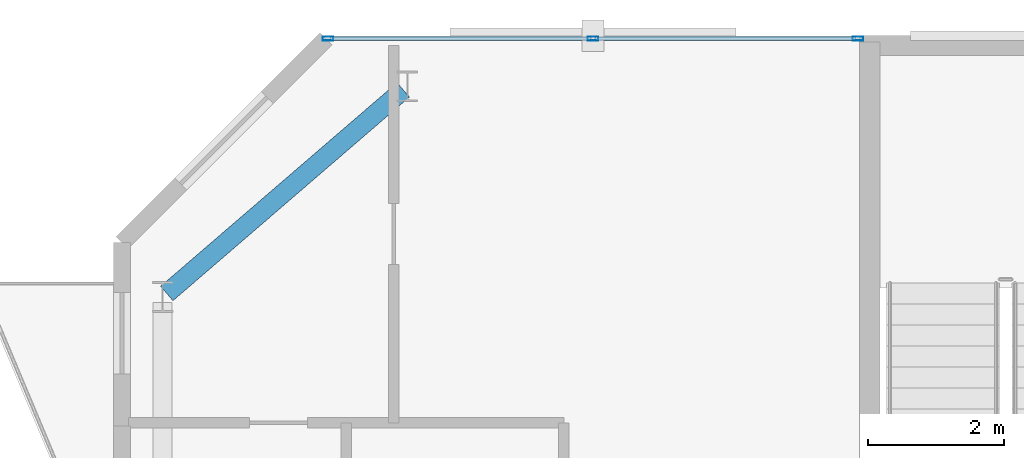
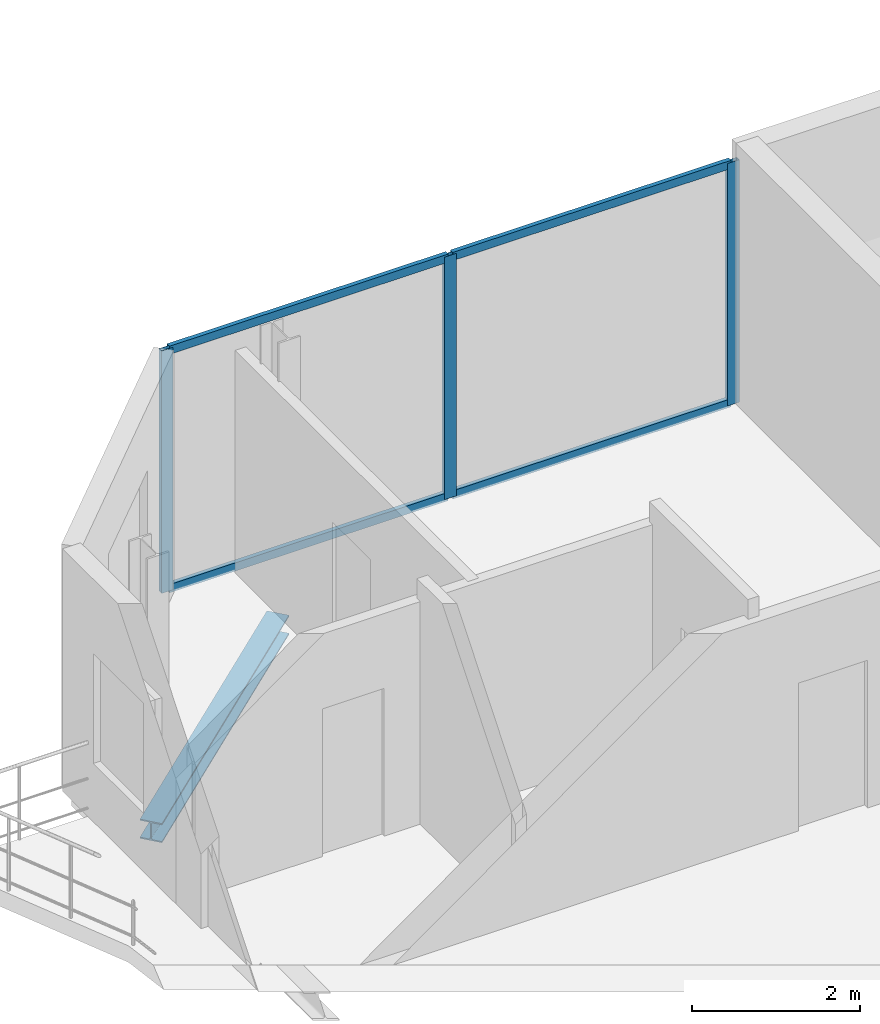
# One storey, part 16 of 22: 7 members, 1 beam, 1 element without a shape of its own.
"""IFC4 building model written with IfcOpenShell, lengths in metres."""

from ifc_helpers import new_model, si_unit, direction, frame, origin, origin_2d, place, context, subcontext, project, spatial, hollow_rectangle, i_section, extrude, material, layer, layer_set, material_profile, profile_set, type_object, element, aggregate, save


model = new_model("IFC4")

# Units and contexts
model_context = context("Model", 3, precision=1e-05, world=origin(), true_north=direction((0.0, 1.0)))
body_context = subcontext(model_context, "Body", "Model", "MODEL_VIEW")
ifc_project = project(units=[si_unit("LENGTHUNIT", "METRE"), si_unit("AREAUNIT", "SQUARE_METRE"), si_unit("VOLUMEUNIT", "CUBIC_METRE"), si_unit("PLANEANGLEUNIT", "RADIAN"), si_unit("MASSUNIT", "GRAM", prefix="KILO")], contexts=[model_context])

# Site, building, storey
site_placement = place(None, origin())
site = spatial("IfcSite", under=ifc_project, at=site_placement, CompositionType="ELEMENT")
building_placement = place(site_placement, origin())
building = spatial("IfcBuilding", under=site, at=building_placement, Name="Catumbela Crestline Tower", CompositionType="ELEMENT")
storey_placement = place(building_placement, frame((0.0, 0.0, 233.6)))
storey = spatial("IfcBuildingStorey", under=building, at=storey_placement, Name="L60", CompositionType="ELEMENT", Elevation=233.6)

# Curtain wall, members
ifc_material_1 = material(Name="Aluminium alloy AW-6060-T66", Category="aluminium")
ifc_layer = layer(ifc_material_1, 0.18, Name="Aluminium alloy AW-6060-T66")
ifc_layer_set = layer_set([ifc_layer], Name="Aluminium alloy AW-6060-T66")
curtain_wall_type = type_object("IfcCurtainWallType", Name="CWU-Z4", PredefinedType="USERDEFINED", material=ifc_layer_set)
curtain_wall_placement = place(storey_placement, origin())
curtain_wall = element("IfcCurtainWall", 1, at=curtain_wall_placement, inside=storey, type_object=curtain_wall_type, Name="L60 Unitised Curtain Wall CW-L60-E7S2", ObjectType="UNITISED", PredefinedType="USERDEFINED")
ifc_material_profile_1 = material_profile(ifc_material_1, hollow_rectangle(XDim=0.06, YDim=0.16, WallThickness=0.004, at=origin_2d()), Name="ALU 160x60x4")
ifc_profile_set_1 = profile_set([ifc_material_profile_1], Name="Aluminium alloy AW-6060-T66")
member_type_1 = type_object("IfcMemberType", Name="MUL-160X60", PredefinedType="MULLION", material=ifc_profile_set_1)
member_1_placement = place(storey_placement, frame((15.8275, 43.0, 0.0), z_axis=(0.0, 0.0, 1.0), x_axis=(0.0, -1.0, 0.0)))
member_1 = element("IfcMember", 2, at=member_1_placement, type_object=member_type_1, Name="CWU-Z4 mullion 1", PredefinedType="MULLION", context=body_context, shape_type="SweptSolid", body=[
    extrude(hollow_rectangle(XDim=0.06, YDim=0.16, WallThickness=0.004, at=origin_2d()), origin(), (0.0, 0.0, 1.0), 3.53),
])
member_2_placement = place(storey_placement, frame((11.93, 43.0, 0.0), z_axis=(0.0, 0.0, 1.0), x_axis=(0.0, -1.0, 0.0)))
member_2 = element("IfcMember", 3, at=member_2_placement, type_object=member_type_1, Name="CWU-Z4 mullion 2", PredefinedType="MULLION", context=body_context, shape_type="SweptSolid", body=[
    extrude(hollow_rectangle(XDim=0.06, YDim=0.16, WallThickness=0.004, at=origin_2d()), origin(), (0.0, 0.0, 1.0), 3.53),
])
member_3_placement = place(storey_placement, frame((8.0325, 43.0, 0.0), z_axis=(0.0, 0.0, 1.0), x_axis=(0.0, -1.0, 0.0)))
member_3 = element("IfcMember", 4, at=member_3_placement, type_object=member_type_1, Name="CWU-Z4 mullion 3", PredefinedType="MULLION", context=body_context, shape_type="SweptSolid", body=[
    extrude(hollow_rectangle(XDim=0.06, YDim=0.16, WallThickness=0.004, at=origin_2d()), origin(), (0.0, 0.0, 1.0), 3.53),
])

# Beam
ifc_material_2 = material(Name="Structural steel S355J2", Category="steel")
ifc_material_profile_2 = material_profile(ifc_material_2, i_section(OverallWidth=0.28, OverallDepth=0.28, WebThickness=0.0105, FlangeThickness=0.018, FilletRadius=0.024, at=origin_2d()), Name="HEB 280")
ifc_profile_set_2 = profile_set([ifc_material_profile_2], Name="Structural steel S355J2")
beam_type = type_object("IfcBeamType", Name="BS-HEB280", PredefinedType="SPANDREL", material=ifc_profile_set_2)
beam_placement = place(storey_placement, frame((5.6606, 39.2522, -0.4), z_axis=(0.757772392559, 0.652518966066, 0.0), x_axis=(-0.652518966066, 0.757772392559, 0.0)))
element("IfcBeam", 5, at=beam_placement, inside=storey, type_object=beam_type, Name="L60 Spandrel SP-L60-N09", PredefinedType="SPANDREL", context=body_context, shape_type="SweptSolid", body=[
    extrude(i_section(OverallWidth=0.28, OverallDepth=0.28, WebThickness=0.0105, FlangeThickness=0.018, FilletRadius=0.024, at=origin_2d()), origin(), (0.0, 0.0, 1.0), 4.5908),
])

# Member
ifc_material_profile_3 = material_profile(ifc_material_1, hollow_rectangle(XDim=0.06, YDim=0.12, WallThickness=0.0035, at=origin_2d()), Name="ALU 120x60x3.5")
ifc_profile_set_3 = profile_set([ifc_material_profile_3], Name="Aluminium alloy AW-6060-T66")
member_type_2 = type_object("IfcMemberType", Name="TRN-120X60", PredefinedType="USERDEFINED", material=ifc_profile_set_3)
member_4_placement = place(storey_placement, frame((15.795, 43.0, 0.03), z_axis=(-1.0, 0.0, 0.0), x_axis=(0.0, -1.0, 0.0)))
member_4 = element("IfcMember", 6, at=member_4_placement, type_object=member_type_2, Name="CWU-Z4 transom 1.1", ObjectType="TRANSOM", PredefinedType="USERDEFINED", context=body_context, shape_type="SweptSolid", body=[
    extrude(hollow_rectangle(XDim=0.06, YDim=0.12, WallThickness=0.0035, at=origin_2d()), origin(), (0.0, 0.0, 1.0), 3.8325),
])

member_5_placement = place(storey_placement, frame((15.795, 43.0, 3.5), z_axis=(-1.0, 0.0, 0.0), x_axis=(0.0, -1.0, 0.0)))
member_5 = element("IfcMember", 7, at=member_5_placement, type_object=member_type_2, Name="CWU-Z4 transom 1.2", ObjectType="TRANSOM", PredefinedType="USERDEFINED", context=body_context, shape_type="SweptSolid", body=[
    extrude(hollow_rectangle(XDim=0.06, YDim=0.12, WallThickness=0.0035, at=origin_2d()), origin(), (0.0, 0.0, 1.0), 3.8325),
])

member_6_placement = place(storey_placement, frame((11.8975, 43.0, 0.03), z_axis=(-1.0, 0.0, 0.0), x_axis=(0.0, -1.0, 0.0)))
member_6 = element("IfcMember", 8, at=member_6_placement, type_object=member_type_2, Name="CWU-Z4 transom 2.1", ObjectType="TRANSOM", PredefinedType="USERDEFINED", context=body_context, shape_type="SweptSolid", body=[
    extrude(hollow_rectangle(XDim=0.06, YDim=0.12, WallThickness=0.0035, at=origin_2d()), origin(), (0.0, 0.0, 1.0), 3.8325),
])

member_7_placement = place(storey_placement, frame((11.8975, 43.0, 3.5), z_axis=(-1.0, 0.0, 0.0), x_axis=(0.0, -1.0, 0.0)))
member_7 = element("IfcMember", 9, at=member_7_placement, type_object=member_type_2, Name="CWU-Z4 transom 2.2", ObjectType="TRANSOM", PredefinedType="USERDEFINED", context=body_context, shape_type="SweptSolid", body=[
    extrude(hollow_rectangle(XDim=0.06, YDim=0.12, WallThickness=0.0035, at=origin_2d()), origin(), (0.0, 0.0, 1.0), 3.8325),
])

aggregate(curtain_wall, [member_1, member_2, member_3, member_4, member_5, member_6, member_7])

save(model, "model.ifc")
